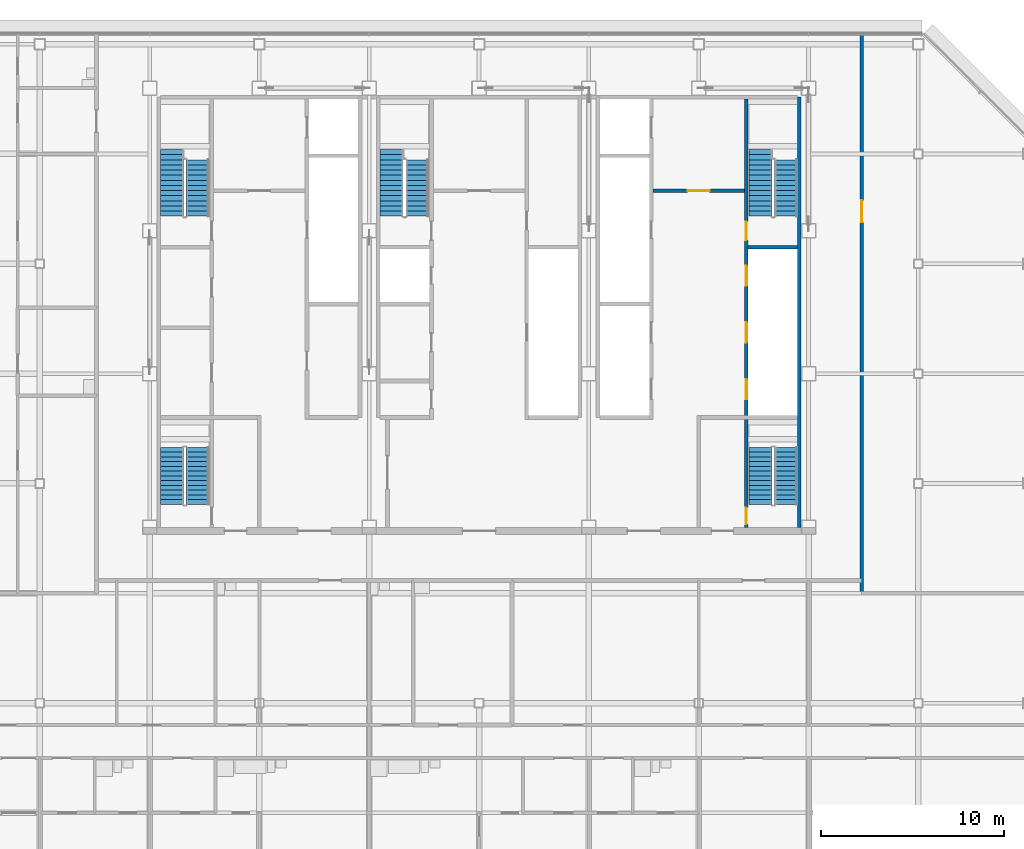
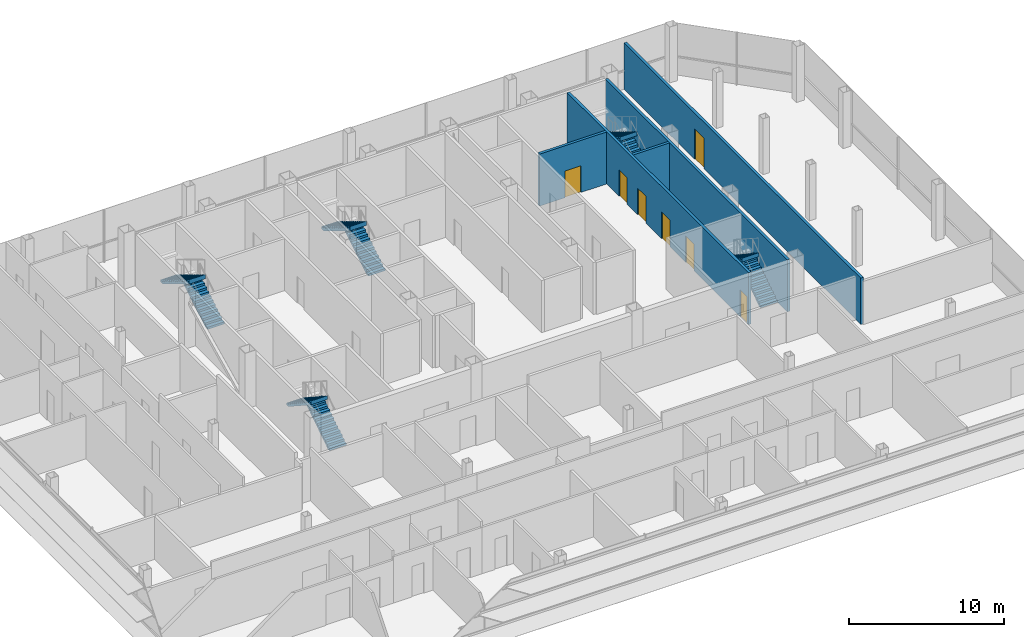
# One storey, part 25 of 29: 10 stair flights, 7 doors, 5 walls, 7 openings, 5 elements without a shape of their own.
"""IFC4 building model written with IfcOpenShell, lengths in metres."""

from ifc_helpers import new_model, si_unit, direction, frame, frame_2d, origin, place, context, subcontext, project, spatial, polyline, rectangle, outline, extrude, material, layer, layer_set, type_object, element, fill, aggregate, save


model = new_model("IFC4")

# Units and contexts
model_context = context("Model", 3, precision=1e-05, world=origin(), true_north=direction((0.0, 1.0)))
body_context = subcontext(model_context, "Body", "Model", "MODEL_VIEW")
ifc_project = project(units=[si_unit("LENGTHUNIT", "METRE"), si_unit("AREAUNIT", "SQUARE_METRE"), si_unit("VOLUMEUNIT", "CUBIC_METRE"), si_unit("PLANEANGLEUNIT", "RADIAN"), si_unit("MASSUNIT", "GRAM", prefix="KILO")], contexts=[model_context])

# Site, building, storey
site_placement = place(None, origin())
site = spatial("IfcSite", under=ifc_project, at=site_placement, CompositionType="ELEMENT")
building_placement = place(site_placement, origin())
building = spatial("IfcBuilding", under=site, at=building_placement, Name="Sorahane Residences", CompositionType="ELEMENT")
storey_placement = place(building_placement, frame((0.0, 0.0, 277.39990234375)))
storey = spatial("IfcBuildingStorey", under=building, at=storey_placement, Name="L66", CompositionType="ELEMENT", Elevation=277.39990234375)

# Wall
ifc_material_1 = material(Name="Concrete C30", Category="concrete")
ifc_layer_1 = layer(ifc_material_1, 0.199951171875)
ifc_layer_set_1 = layer_set([ifc_layer_1], Name="Core face wall 200 EI 180")
wall_type_1 = type_object("IfcWallType", Name="Core face wall 200 EI 180", PredefinedType="SOLIDWALL", material=ifc_layer_set_1)
wall_1_placement = place(storey_placement, frame((41.5, 21.60009765625, 0.0), z_axis=(0.0, 0.0, 1.0), x_axis=(0.0, 1.0, 0.0)))
element("IfcWall", 1, at=wall_1_placement, inside=storey, type_object=wall_type_1, Name="L66 core face wall", PredefinedType="SOLIDWALL", context=body_context, shape_type="SweptSolid", body=[
    extrude(rectangle(XDim=23.5, YDim=0.199951171875, at=frame_2d((11.75, 0.0))), origin(), (0.0, 0.0, 1.0), 4.10009765625),
])

# Wall, opening, door
ifc_material_2 = material(Name="Concrete blockwork C20 wall", Category="masonry")
ifc_layer_2 = layer(ifc_material_2, 0.199951171875)
ifc_layer_set_2 = layer_set([ifc_layer_2], Name="Corridor wall 200 EI 120")
wall_type_2 = type_object("IfcWallType", Name="Corridor wall 200 EI 120", PredefinedType="SOLIDWALL", material=ifc_layer_set_2)
wall_2_placement = place(storey_placement, frame((44.89990234375, 18.0, 0.0), z_axis=(0.0, 0.0, 1.0), x_axis=(0.0, 1.0, 0.0)))
wall_2 = element("IfcWall", 2, at=wall_2_placement, inside=storey, type_object=wall_type_2, Name="L66 corridor wall", PredefinedType="SOLIDWALL", context=body_context, shape_type="SweptSolid", body=[
    extrude(rectangle(XDim=30.60009765625, YDim=0.199951171875, at=frame_2d((15.300048828125, 0.0))), origin(), (0.0, 0.0, 1.0), 3.650146484375),
])
opening_1_placement = place(wall_2_placement, frame((20.27001953125, 0.0, 0.0)))
opening_1 = element("IfcOpeningElement", 3, at=opening_1_placement, cuts=wall_2, Name="Opening L66-45", PredefinedType="OPENING", context=body_context, shape_type="SweptSolid", body=[
    extrude(rectangle(XDim=1.199951171875, YDim=2.39990234375, at=frame_2d((0.60009765625, 1.199951171875))), frame((0.0, 0.10986328125, 0.0), z_axis=(0.0, -1.0, 0.0), x_axis=(1.0, 0.0, 0.0)), (0.0, 0.0, 1.0), 0.219970703125),
])
ifc_material_3 = material(Name="Steel", Category="steel")
door_type_1 = type_object("IfcDoorType", Name="Lobby door 1200x2400 FD60", OperationType="NOTDEFINED", PredefinedType="DOOR", material=ifc_material_3)
door_1_placement = place(opening_1_placement, frame((1.199951171875, 0.0, 0.0), z_axis=(0.0, 0.0, 1.0), x_axis=(-1.0, 0.0, 0.0)))
door_1 = element("IfcDoor", 4, at=door_1_placement, inside=storey, type_object=door_type_1, Name="Lobby door L66-45", OperationType="SINGLE_SWING_LEFT", OverallHeight=2.39990234375, OverallWidth=1.199951171875, PredefinedType="DOOR", context=body_context, shape_type="SweptSolid", body=[
    extrude(rectangle(XDim=1.199951171875, YDim=2.39990234375, at=frame_2d((0.60009765625, 1.199951171875))), frame((0.0, 0.02490234375, 0.0), z_axis=(0.0, -1.0, 0.0), x_axis=(1.0, 0.0, 0.0)), (0.0, 0.0, 1.0), 0.050048828125),
])
fill(opening_1, door_1)

ifc_material_4 = material(Name="Concrete C30", Category="concrete")
ifc_layer_3 = layer(ifc_material_4, 0.199951171875)
ifc_layer_set_3 = layer_set([ifc_layer_3], Name="Front room wall 200 EI 120")
wall_type_3 = type_object("IfcWallType", Name="Front room wall 200 EI 120", PredefinedType="PARTITIONING", material=ifc_layer_set_3)
wall_3_placement = place(storey_placement, frame((33.5, 40.0, 0.0), z_axis=(0.0, 0.0, 1.0), x_axis=(1.0, 0.0, 0.0)))
wall_3 = element("IfcWall", 5, at=wall_3_placement, inside=storey, type_object=wall_type_3, Name="L66 front room wall", PredefinedType="PARTITIONING", context=body_context, shape_type="SweptSolid", body=[
    extrude(rectangle(XDim=5.0, YDim=0.199951171875, at=frame_2d((2.5, 0.0))), origin(), (0.0, 0.0, 1.0), 4.10009765625),
])
opening_2_placement = place(wall_3_placement, frame((1.89990234375, 0.0, 0.0)))
opening_2 = element("IfcOpeningElement", 6, at=opening_2_placement, cuts=wall_3, Name="Opening L66-C09", PredefinedType="OPENING", context=body_context, shape_type="SweptSolid", body=[
    extrude(rectangle(XDim=1.199951171875, YDim=2.10009765625, at=frame_2d((0.60009765625, 1.050048828125))), frame((0.0, 0.10986328125, 0.0), z_axis=(0.0, -1.0, 0.0), x_axis=(1.0, 0.0, 0.0)), (0.0, 0.0, 1.0), 0.219970703125),
])
ifc_material_5 = material(Name="Steel", Category="steel")
door_type_2 = type_object("IfcDoorType", Name="Front room door 1200x2100 FD120", OperationType="NOTDEFINED", PredefinedType="DOOR", material=ifc_material_5)
door_2_placement = place(opening_2_placement, frame((1.199951171875, 0.0, 0.0), z_axis=(0.0, 0.0, 1.0), x_axis=(-1.0, 0.0, 0.0)))
door_2 = element("IfcDoor", 7, at=door_2_placement, inside=storey, type_object=door_type_2, Name="Front room door Firefighting lobby FF2 front room L66", OperationType="DOUBLE_DOOR_SINGLE_SWING", OverallHeight=2.10009765625, OverallWidth=1.199951171875, PredefinedType="DOOR", context=body_context, shape_type="SweptSolid", body=[
    extrude(rectangle(XDim=1.199951171875, YDim=2.10009765625, at=frame_2d((0.60009765625, 1.050048828125))), frame((0.0, 0.02490234375, 0.0), z_axis=(0.0, -1.0, 0.0), x_axis=(1.0, 0.0, 0.0)), (0.0, 0.0, 1.0), 0.050048828125),
])
fill(opening_2, door_2)

# Wall, openings, doors
ifc_material_6 = material(Name="Concrete C30", Category="concrete")
ifc_layer_4 = layer(ifc_material_6, 0.199951171875)
ifc_layer_set_4 = layer_set([ifc_layer_4], Name="Stair enclosure wall 200 EI 120")
wall_type_4 = type_object("IfcWallType", Name="Stair enclosure wall 200 EI 120", PredefinedType="SOLIDWALL", material=ifc_layer_set_4)
wall_4_placement = place(storey_placement, frame((38.60009765625, 21.60009765625, 0.0), z_axis=(0.0, 0.0, 1.0), x_axis=(0.0, 1.0, 0.0)))
wall_4 = element("IfcWall", 8, at=wall_4_placement, inside=storey, type_object=wall_type_4, Name="L66 stair enclosure wall", PredefinedType="SOLIDWALL", context=body_context, shape_type="SweptSolid", body=[
    extrude(rectangle(XDim=23.39990234375, YDim=0.199951171875, at=frame_2d((11.699951171875, 0.0))), origin(), (0.0, 0.0, 1.0), 4.10009765625),
])
opening_3_placement = place(wall_4_placement, frame((7.0, 0.0, 0.0)))
opening_3 = element("IfcOpeningElement", 9, at=opening_3_placement, cuts=wall_4, Name="Opening L66-C10", PredefinedType="OPENING", context=body_context, shape_type="SweptSolid", body=[
    extrude(rectangle(XDim=1.10009765625, YDim=2.10009765625, at=frame_2d((0.550048828125, 1.050048828125))), frame((0.0, 0.10986328125, 0.0), z_axis=(0.0, -1.0, 0.0), x_axis=(1.0, 0.0, 0.0)), (0.0, 0.0, 1.0), 0.219970703125),
])
opening_4_placement = place(wall_4_placement, frame((10.10009765625, 0.0, 0.0)))
opening_4 = element("IfcOpeningElement", 10, at=opening_4_placement, cuts=wall_4, Name="Opening L66-C11", PredefinedType="OPENING", context=body_context, shape_type="SweptSolid", body=[
    extrude(rectangle(XDim=1.10009765625, YDim=2.10009765625, at=frame_2d((0.550048828125, 1.050048828125))), frame((0.0, 0.10986328125, 0.0), z_axis=(0.0, -1.0, 0.0), x_axis=(1.0, 0.0, 0.0)), (0.0, 0.0, 1.0), 0.219970703125),
])
opening_5_placement = place(wall_4_placement, frame((13.199951171875, 0.0, 0.0)))
opening_5 = element("IfcOpeningElement", 11, at=opening_5_placement, cuts=wall_4, Name="Opening L66-C12", PredefinedType="OPENING", context=body_context, shape_type="SweptSolid", body=[
    extrude(rectangle(XDim=1.10009765625, YDim=2.10009765625, at=frame_2d((0.550048828125, 1.050048828125))), frame((0.0, 0.10986328125, 0.0), z_axis=(0.0, -1.0, 0.0), x_axis=(1.0, 0.0, 0.0)), (0.0, 0.0, 1.0), 0.219970703125),
])
opening_6_placement = place(wall_4_placement, frame((15.699951171875, 0.0, 0.0)))
opening_6 = element("IfcOpeningElement", 12, at=opening_6_placement, cuts=wall_4, Name="Opening L66-C23", PredefinedType="OPENING", context=body_context, shape_type="SweptSolid", body=[
    extrude(rectangle(XDim=1.0, YDim=2.10009765625, at=frame_2d((0.5, 1.050048828125))), frame((0.0, 0.10986328125, 0.0), z_axis=(0.0, -1.0, 0.0), x_axis=(1.0, 0.0, 0.0)), (0.0, 0.0, 1.0), 0.219970703125),
])
opening_7_placement = place(wall_4_placement, frame((0.175048828125, 0.0, 0.0)))
opening_7 = element("IfcOpeningElement", 13, at=opening_7_placement, cuts=wall_4, Name="Opening L66-C26", PredefinedType="OPENING", context=body_context, shape_type="SweptSolid", body=[
    extrude(rectangle(XDim=0.89990234375, YDim=2.10009765625, at=frame_2d((0.449951171875, 1.050048828125))), frame((0.0, 0.10986328125, 0.0), z_axis=(0.0, -1.0, 0.0), x_axis=(1.0, 0.0, 0.0)), (0.0, 0.0, 1.0), 0.219970703125),
])
ifc_material_7 = material(Name="Aluminium and stainless steel", Category="steel")
door_type_3 = type_object("IfcDoorType", Name="Lift landing door 1100x2100 E 60", OperationType="NOTDEFINED", PredefinedType="DOOR", material=ifc_material_7)
door_3_placement = place(opening_3_placement, origin())
door_3 = element("IfcDoor", 14, at=door_3_placement, inside=storey, type_object=door_type_3, Name="Lift landing door HR1 L66", OperationType="DOUBLE_DOOR_SLIDING", OverallHeight=2.10009765625, OverallWidth=1.10009765625, PredefinedType="DOOR", context=body_context, shape_type="SweptSolid", body=[
    extrude(rectangle(XDim=1.10009765625, YDim=2.10009765625, at=frame_2d((0.550048828125, 1.050048828125))), frame((0.0, 0.02490234375, 0.0), z_axis=(0.0, -1.0, 0.0), x_axis=(1.0, 0.0, 0.0)), (0.0, 0.0, 1.0), 0.050048828125),
])
fill(opening_3, door_3)
door_4_placement = place(opening_4_placement, origin())
door_4 = element("IfcDoor", 15, at=door_4_placement, inside=storey, type_object=door_type_3, Name="Lift landing door HR2 L66", OperationType="DOUBLE_DOOR_SLIDING", OverallHeight=2.10009765625, OverallWidth=1.10009765625, PredefinedType="DOOR", context=body_context, shape_type="SweptSolid", body=[
    extrude(rectangle(XDim=1.10009765625, YDim=2.10009765625, at=frame_2d((0.550048828125, 1.050048828125))), frame((0.0, 0.02490234375, 0.0), z_axis=(0.0, -1.0, 0.0), x_axis=(1.0, 0.0, 0.0)), (0.0, 0.0, 1.0), 0.050048828125),
])
fill(opening_4, door_4)
door_5_placement = place(opening_5_placement, origin())
door_5 = element("IfcDoor", 16, at=door_5_placement, inside=storey, type_object=door_type_3, Name="Lift landing door HR3 L66", OperationType="DOUBLE_DOOR_SLIDING", OverallHeight=2.10009765625, OverallWidth=1.10009765625, PredefinedType="DOOR", context=body_context, shape_type="SweptSolid", body=[
    extrude(rectangle(XDim=1.10009765625, YDim=2.10009765625, at=frame_2d((0.550048828125, 1.050048828125))), frame((0.0, 0.02490234375, 0.0), z_axis=(0.0, -1.0, 0.0), x_axis=(1.0, 0.0, 0.0)), (0.0, 0.0, 1.0), 0.050048828125),
])
fill(opening_5, door_5)
ifc_material_8 = material(Name="Steel", Category="steel")
door_type_4 = type_object("IfcDoorType", Name="Stair door 1000x2100 FD120", OperationType="NOTDEFINED", PredefinedType="DOOR", material=ifc_material_8)
door_6_placement = place(opening_6_placement, frame((1.0, 0.0, 0.0), z_axis=(0.0, 0.0, 1.0), x_axis=(-1.0, 0.0, 0.0)))
door_6 = element("IfcDoor", 17, at=door_6_placement, inside=storey, type_object=door_type_4, Name="Stair door S2 L66", OperationType="SINGLE_SWING_LEFT", OverallHeight=2.10009765625, OverallWidth=1.0, PredefinedType="DOOR", context=body_context, shape_type="SweptSolid", body=[
    extrude(rectangle(XDim=1.0, YDim=2.10009765625, at=frame_2d((0.5, 1.050048828125))), frame((0.0, 0.02490234375, 0.0), z_axis=(0.0, -1.0, 0.0), x_axis=(1.0, 0.0, 0.0)), (0.0, 0.0, 1.0), 0.050048828125),
])
fill(opening_6, door_6)
ifc_material_9 = material(Name="Steel", Category="steel")
door_type_5 = type_object("IfcDoorType", Name="Stair door 900x2100 FD120", OperationType="NOTDEFINED", PredefinedType="DOOR", material=ifc_material_9)
door_7_placement = place(opening_7_placement, frame((0.89990234375, 0.0, 0.0), z_axis=(0.0, 0.0, 1.0), x_axis=(-1.0, 0.0, 0.0)))
door_7 = element("IfcDoor", 18, at=door_7_placement, inside=storey, type_object=door_type_5, Name="Stair door S5 L66", OperationType="SINGLE_SWING_LEFT", OverallHeight=2.10009765625, OverallWidth=0.89990234375, PredefinedType="DOOR", context=body_context, shape_type="SweptSolid", body=[
    extrude(rectangle(XDim=0.89990234375, YDim=2.10009765625, at=frame_2d((0.449951171875, 1.050048828125))), frame((0.0, 0.02490234375, 0.0), z_axis=(0.0, -1.0, 0.0), x_axis=(1.0, 0.0, 0.0)), (0.0, 0.0, 1.0), 0.050048828125),
])
fill(opening_7, door_7)

# Wall
wall_5_placement = place(storey_placement, frame((38.699951171875, 36.89990234375, 0.0), z_axis=(0.0, 0.0, 1.0), x_axis=(1.0, 0.0, 0.0)))
element("IfcWall", 19, at=wall_5_placement, inside=storey, type_object=wall_type_4, Name="L66 stair enclosure wall", PredefinedType="SOLIDWALL", context=body_context, shape_type="SweptSolid", body=[
    extrude(rectangle(XDim=2.699951171875, YDim=0.199951171875, at=frame_2d((1.35009765625, 0.0))), origin(), (0.0, 0.0, 1.0), 4.10009765625),
])

# Stair, stair flights
ifc_material_10 = material(Name="Concrete C40", Category="concrete")
stair_type = type_object("IfcStairType", Name="Dog-leg stair 1250 Concrete C40", PredefinedType="HALF_TURN_STAIR", material=ifc_material_10)
stair_1_placement = place(storey_placement, origin())
stair_1 = element("IfcStair", 20, at=stair_1_placement, inside=storey, type_object=stair_type, Name="L66 Stair S1", PredefinedType="HALF_TURN_STAIR")
ifc_material_11 = material(Name="Concrete C40", Category="concrete")
stair_flight_type = type_object("IfcStairFlightType", Name="Stair flight 1250 Concrete C40", PredefinedType="STRAIGHT", material=ifc_material_11)
stair_flight_1_placement = place(storey_placement, frame((8.625, 38.60009765625, 0.0), z_axis=(0.0, 0.0, 1.0), x_axis=(0.0, 1.0, 0.0)))
stair_flight_1 = element("IfcStairFlight", 21, at=stair_flight_1_placement, type_object=stair_flight_type, Name="S1 flight 1", NumberOfRisers=12, NumberOfTreads=11, PredefinedType="STRAIGHT", RiserHeight=0.169230769, TreadLength=0.28, context=body_context, shape_type="SweptSolid", body=[
    extrude(outline(polyline([(-0.00146484375, 0.0), (-0.00146484375, 0.169189453125), (0.0, 0.169189453125), (0.280029296875, 0.169189453125), (0.280029296875, 0.33837890625), (0.56005859375, 0.33837890625), (0.56005859375, 0.5078125), (0.840087890625, 0.5078125), (0.840087890625, 0.677001953125), (1.1201171875, 0.677001953125), (1.1201171875, 0.84619140625), (1.39990234375, 0.84619140625), (1.39990234375, 1.015380859375), (1.679931640625, 1.015380859375), (1.679931640625, 1.1845703125), (1.9599609375, 1.1845703125), (1.9599609375, 1.353759765625), (2.239990234375, 1.353759765625), (2.239990234375, 1.523193359375), (2.52001953125, 1.523193359375), (2.52001953125, 1.6923828125), (2.800048828125, 1.6923828125), (2.800048828125, 1.861572265625), (3.080078125, 1.861572265625), (3.080078125, 2.03076171875), (3.080078125, 1.686279296875), (2.865478515625, 1.556640625), (2.650634765625, 1.427001953125), (2.43603515625, 1.297119140625), (2.221435546875, 1.16748046875), (2.0068359375, 1.037841796875), (1.792236328125, 0.907958984375), (1.57763671875, 0.7783203125), (1.363037109375, 0.648681640625), (1.1484375, 0.518798828125), (0.93359375, 0.38916015625), (0.718994140625, 0.259521484375), (0.50439453125, 0.129638671875), (0.289794921875, 0.0), (-0.00146484375, 0.0)])), frame((0.0, 0.625, 0.0), z_axis=(0.0, -1.0, 0.0), x_axis=(1.0, 0.0, 0.0)), (0.0, 0.0, 1.0), 1.25),
])
stair_flight_2_placement = place(storey_placement, frame((7.22509765625, 42.239990234375, 2.03076171875), z_axis=(0.0, 0.0, 1.0), x_axis=(0.0, -1.0, 0.0)))
stair_flight_2 = element("IfcStairFlight", 22, at=stair_flight_2_placement, type_object=stair_flight_type, Name="S1 flight 2", NumberOfRisers=14, NumberOfTreads=13, PredefinedType="STRAIGHT", RiserHeight=0.169230769, TreadLength=0.28, context=body_context, shape_type="SweptSolid", body=[
    extrude(outline(polyline([(-0.00146484375, 0.0), (-0.00146484375, 0.169189453125), (0.0, 0.169189453125), (0.280029296875, 0.169189453125), (0.280029296875, 0.33837890625), (0.56005859375, 0.33837890625), (0.56005859375, 0.5078125), (0.840087890625, 0.5078125), (0.840087890625, 0.677001953125), (1.1201171875, 0.677001953125), (1.1201171875, 0.84619140625), (1.39990234375, 0.84619140625), (1.39990234375, 1.015380859375), (1.679931640625, 1.015380859375), (1.679931640625, 1.1845703125), (1.9599609375, 1.1845703125), (1.9599609375, 1.353759765625), (2.239990234375, 1.353759765625), (2.239990234375, 1.523193359375), (2.52001953125, 1.523193359375), (2.52001953125, 1.6923828125), (2.800048828125, 1.6923828125), (2.800048828125, 1.861572265625), (3.080078125, 1.861572265625), (3.080078125, 2.03076171875), (3.360107421875, 2.03076171875), (3.360107421875, 2.199951171875), (3.639892578125, 2.199951171875), (3.639892578125, 2.369140625), (3.6416015625, 2.369140625), (3.6416015625, 2.02490234375), (3.41796875, 1.889892578125), (3.194580078125, 1.7548828125), (2.97119140625, 1.619873046875), (2.747802734375, 1.48486328125), (2.524169921875, 1.349853515625), (2.30078125, 1.21484375), (2.077392578125, 1.079833984375), (1.85400390625, 0.94482421875), (1.63037109375, 0.81005859375), (1.406982421875, 0.675048828125), (1.18359375, 0.5400390625), (0.960205078125, 0.405029296875), (0.73681640625, 0.27001953125), (0.51318359375, 0.135009765625), (0.289794921875, 0.0), (-0.00146484375, 0.0)])), frame((0.0, 0.625, 0.0), z_axis=(0.0, -1.0, 0.0), x_axis=(1.0, 0.0, 0.0)), (0.0, 0.0, 1.0), 1.25),
])
aggregate(stair_1, [stair_flight_1, stair_flight_2])

stair_2_placement = place(storey_placement, origin())
stair_2 = element("IfcStair", 23, at=stair_2_placement, inside=storey, type_object=stair_type, Name="L66 Stair S2", PredefinedType="HALF_TURN_STAIR")
stair_flight_3_placement = place(storey_placement, frame((40.77490234375, 38.60009765625, 0.0), z_axis=(0.0, 0.0, 1.0), x_axis=(0.0, 1.0, 0.0)))
stair_flight_3 = element("IfcStairFlight", 24, at=stair_flight_3_placement, type_object=stair_flight_type, Name="S2 flight 1", NumberOfRisers=12, NumberOfTreads=11, PredefinedType="STRAIGHT", RiserHeight=0.169230769, TreadLength=0.28, context=body_context, shape_type="SweptSolid", body=[
    extrude(outline(polyline([(-0.00146484375, 0.0), (-0.00146484375, 0.169189453125), (0.0, 0.169189453125), (0.280029296875, 0.169189453125), (0.280029296875, 0.33837890625), (0.56005859375, 0.33837890625), (0.56005859375, 0.5078125), (0.840087890625, 0.5078125), (0.840087890625, 0.677001953125), (1.1201171875, 0.677001953125), (1.1201171875, 0.84619140625), (1.39990234375, 0.84619140625), (1.39990234375, 1.015380859375), (1.679931640625, 1.015380859375), (1.679931640625, 1.1845703125), (1.9599609375, 1.1845703125), (1.9599609375, 1.353759765625), (2.239990234375, 1.353759765625), (2.239990234375, 1.523193359375), (2.52001953125, 1.523193359375), (2.52001953125, 1.6923828125), (2.800048828125, 1.6923828125), (2.800048828125, 1.861572265625), (3.080078125, 1.861572265625), (3.080078125, 2.03076171875), (3.080078125, 1.686279296875), (2.865478515625, 1.556640625), (2.650634765625, 1.427001953125), (2.43603515625, 1.297119140625), (2.221435546875, 1.16748046875), (2.0068359375, 1.037841796875), (1.792236328125, 0.907958984375), (1.57763671875, 0.7783203125), (1.363037109375, 0.648681640625), (1.1484375, 0.518798828125), (0.93359375, 0.38916015625), (0.718994140625, 0.259521484375), (0.50439453125, 0.129638671875), (0.289794921875, 0.0), (-0.00146484375, 0.0)])), frame((0.0, 0.625, 0.0), z_axis=(0.0, -1.0, 0.0), x_axis=(1.0, 0.0, 0.0)), (0.0, 0.0, 1.0), 1.25),
])
stair_flight_4_placement = place(storey_placement, frame((39.375, 42.239990234375, 2.03076171875), z_axis=(0.0, 0.0, 1.0), x_axis=(0.0, -1.0, 0.0)))
stair_flight_4 = element("IfcStairFlight", 25, at=stair_flight_4_placement, type_object=stair_flight_type, Name="S2 flight 2", NumberOfRisers=14, NumberOfTreads=13, PredefinedType="STRAIGHT", RiserHeight=0.169230769, TreadLength=0.28, context=body_context, shape_type="SweptSolid", body=[
    extrude(outline(polyline([(-0.00146484375, 0.0), (-0.00146484375, 0.169189453125), (0.0, 0.169189453125), (0.280029296875, 0.169189453125), (0.280029296875, 0.33837890625), (0.56005859375, 0.33837890625), (0.56005859375, 0.5078125), (0.840087890625, 0.5078125), (0.840087890625, 0.677001953125), (1.1201171875, 0.677001953125), (1.1201171875, 0.84619140625), (1.39990234375, 0.84619140625), (1.39990234375, 1.015380859375), (1.679931640625, 1.015380859375), (1.679931640625, 1.1845703125), (1.9599609375, 1.1845703125), (1.9599609375, 1.353759765625), (2.239990234375, 1.353759765625), (2.239990234375, 1.523193359375), (2.52001953125, 1.523193359375), (2.52001953125, 1.6923828125), (2.800048828125, 1.6923828125), (2.800048828125, 1.861572265625), (3.080078125, 1.861572265625), (3.080078125, 2.03076171875), (3.360107421875, 2.03076171875), (3.360107421875, 2.199951171875), (3.639892578125, 2.199951171875), (3.639892578125, 2.369140625), (3.6416015625, 2.369140625), (3.6416015625, 2.02490234375), (3.41796875, 1.889892578125), (3.194580078125, 1.7548828125), (2.97119140625, 1.619873046875), (2.747802734375, 1.48486328125), (2.524169921875, 1.349853515625), (2.30078125, 1.21484375), (2.077392578125, 1.079833984375), (1.85400390625, 0.94482421875), (1.63037109375, 0.81005859375), (1.406982421875, 0.675048828125), (1.18359375, 0.5400390625), (0.960205078125, 0.405029296875), (0.73681640625, 0.27001953125), (0.51318359375, 0.135009765625), (0.289794921875, 0.0), (-0.00146484375, 0.0)])), frame((0.0, 0.625, 0.0), z_axis=(0.0, -1.0, 0.0), x_axis=(1.0, 0.0, 0.0)), (0.0, 0.0, 1.0), 1.25),
])
aggregate(stair_2, [stair_flight_3, stair_flight_4])

stair_3_placement = place(storey_placement, origin())
stair_3 = element("IfcStair", 26, at=stair_3_placement, inside=storey, type_object=stair_type, Name="L66 Stair S3", PredefinedType="HALF_TURN_STAIR")
stair_flight_5_placement = place(storey_placement, frame((20.625, 38.60009765625, 0.0), z_axis=(0.0, 0.0, 1.0), x_axis=(0.0, 1.0, 0.0)))
stair_flight_5 = element("IfcStairFlight", 27, at=stair_flight_5_placement, type_object=stair_flight_type, Name="S3 flight 1", NumberOfRisers=12, NumberOfTreads=11, PredefinedType="STRAIGHT", RiserHeight=0.169230769, TreadLength=0.28, context=body_context, shape_type="SweptSolid", body=[
    extrude(outline(polyline([(-0.00146484375, 0.0), (-0.00146484375, 0.169189453125), (0.0, 0.169189453125), (0.280029296875, 0.169189453125), (0.280029296875, 0.33837890625), (0.56005859375, 0.33837890625), (0.56005859375, 0.5078125), (0.840087890625, 0.5078125), (0.840087890625, 0.677001953125), (1.1201171875, 0.677001953125), (1.1201171875, 0.84619140625), (1.39990234375, 0.84619140625), (1.39990234375, 1.015380859375), (1.679931640625, 1.015380859375), (1.679931640625, 1.1845703125), (1.9599609375, 1.1845703125), (1.9599609375, 1.353759765625), (2.239990234375, 1.353759765625), (2.239990234375, 1.523193359375), (2.52001953125, 1.523193359375), (2.52001953125, 1.6923828125), (2.800048828125, 1.6923828125), (2.800048828125, 1.861572265625), (3.080078125, 1.861572265625), (3.080078125, 2.03076171875), (3.080078125, 1.686279296875), (2.865478515625, 1.556640625), (2.650634765625, 1.427001953125), (2.43603515625, 1.297119140625), (2.221435546875, 1.16748046875), (2.0068359375, 1.037841796875), (1.792236328125, 0.907958984375), (1.57763671875, 0.7783203125), (1.363037109375, 0.648681640625), (1.1484375, 0.518798828125), (0.93359375, 0.38916015625), (0.718994140625, 0.259521484375), (0.50439453125, 0.129638671875), (0.289794921875, 0.0), (-0.00146484375, 0.0)])), frame((0.0, 0.625, 0.0), z_axis=(0.0, -1.0, 0.0), x_axis=(1.0, 0.0, 0.0)), (0.0, 0.0, 1.0), 1.25),
])
stair_flight_6_placement = place(storey_placement, frame((19.22509765625, 42.239990234375, 2.03076171875), z_axis=(0.0, 0.0, 1.0), x_axis=(0.0, -1.0, 0.0)))
stair_flight_6 = element("IfcStairFlight", 28, at=stair_flight_6_placement, type_object=stair_flight_type, Name="S3 flight 2", NumberOfRisers=14, NumberOfTreads=13, PredefinedType="STRAIGHT", RiserHeight=0.169230769, TreadLength=0.28, context=body_context, shape_type="SweptSolid", body=[
    extrude(outline(polyline([(-0.00146484375, 0.0), (-0.00146484375, 0.169189453125), (0.0, 0.169189453125), (0.280029296875, 0.169189453125), (0.280029296875, 0.33837890625), (0.56005859375, 0.33837890625), (0.56005859375, 0.5078125), (0.840087890625, 0.5078125), (0.840087890625, 0.677001953125), (1.1201171875, 0.677001953125), (1.1201171875, 0.84619140625), (1.39990234375, 0.84619140625), (1.39990234375, 1.015380859375), (1.679931640625, 1.015380859375), (1.679931640625, 1.1845703125), (1.9599609375, 1.1845703125), (1.9599609375, 1.353759765625), (2.239990234375, 1.353759765625), (2.239990234375, 1.523193359375), (2.52001953125, 1.523193359375), (2.52001953125, 1.6923828125), (2.800048828125, 1.6923828125), (2.800048828125, 1.861572265625), (3.080078125, 1.861572265625), (3.080078125, 2.03076171875), (3.360107421875, 2.03076171875), (3.360107421875, 2.199951171875), (3.639892578125, 2.199951171875), (3.639892578125, 2.369140625), (3.6416015625, 2.369140625), (3.6416015625, 2.02490234375), (3.41796875, 1.889892578125), (3.194580078125, 1.7548828125), (2.97119140625, 1.619873046875), (2.747802734375, 1.48486328125), (2.524169921875, 1.349853515625), (2.30078125, 1.21484375), (2.077392578125, 1.079833984375), (1.85400390625, 0.94482421875), (1.63037109375, 0.81005859375), (1.406982421875, 0.675048828125), (1.18359375, 0.5400390625), (0.960205078125, 0.405029296875), (0.73681640625, 0.27001953125), (0.51318359375, 0.135009765625), (0.289794921875, 0.0), (-0.00146484375, 0.0)])), frame((0.0, 0.625, 0.0), z_axis=(0.0, -1.0, 0.0), x_axis=(1.0, 0.0, 0.0)), (0.0, 0.0, 1.0), 1.25),
])
aggregate(stair_3, [stair_flight_5, stair_flight_6])

stair_4_placement = place(storey_placement, origin())
stair_4 = element("IfcStair", 29, at=stair_4_placement, inside=storey, type_object=stair_type, Name="L66 Stair S4", PredefinedType="HALF_TURN_STAIR")
stair_flight_7_placement = place(storey_placement, frame((8.625, 22.85009765625, 0.0), z_axis=(0.0, 0.0, 1.0), x_axis=(0.0, 1.0, 0.0)))
stair_flight_7 = element("IfcStairFlight", 30, at=stair_flight_7_placement, type_object=stair_flight_type, Name="S4 flight 1", NumberOfRisers=13, NumberOfTreads=12, PredefinedType="STRAIGHT", RiserHeight=0.169230769, TreadLength=0.26, context=body_context, shape_type="SweptSolid", body=[
    extrude(outline(polyline([(-0.00146484375, 0.0), (-0.00146484375, 0.169189453125), (0.0, 0.169189453125), (0.260009765625, 0.169189453125), (0.260009765625, 0.33837890625), (0.52001953125, 0.33837890625), (0.52001953125, 0.5078125), (0.780029296875, 0.5078125), (0.780029296875, 0.677001953125), (1.0400390625, 0.677001953125), (1.0400390625, 0.84619140625), (1.300048828125, 0.84619140625), (1.300048828125, 1.015380859375), (1.56005859375, 1.015380859375), (1.56005859375, 1.1845703125), (1.820068359375, 1.1845703125), (1.820068359375, 1.353759765625), (2.080078125, 1.353759765625), (2.080078125, 1.523193359375), (2.340087890625, 1.523193359375), (2.340087890625, 1.6923828125), (2.60009765625, 1.6923828125), (2.60009765625, 1.861572265625), (2.860107421875, 1.861572265625), (2.860107421875, 2.03076171875), (3.1201171875, 2.03076171875), (3.1201171875, 2.199951171875), (3.1201171875, 1.887451171875), (2.912841796875, 1.752685546875), (2.705810546875, 1.617919921875), (2.49853515625, 1.48291015625), (2.29150390625, 1.34814453125), (2.08447265625, 1.21337890625), (1.877197265625, 1.07861328125), (1.670166015625, 0.943603515625), (1.462890625, 0.808837890625), (1.255859375, 0.674072265625), (1.048828125, 0.539306640625), (0.841552734375, 0.404541015625), (0.634521484375, 0.26953125), (0.42724609375, 0.134765625), (0.22021484375, 0.0), (-0.00146484375, 0.0)])), frame((0.0, 0.625, 0.0), z_axis=(0.0, -1.0, 0.0), x_axis=(1.0, 0.0, 0.0)), (0.0, 0.0, 1.0), 1.25),
])
stair_flight_8_placement = place(storey_placement, frame((7.22509765625, 25.969970703125, 2.2001953125), z_axis=(0.0, 0.0, 1.0), x_axis=(0.0, -1.0, 0.0)))
stair_flight_8 = element("IfcStairFlight", 31, at=stair_flight_8_placement, type_object=stair_flight_type, Name="S4 flight 2", NumberOfRisers=13, NumberOfTreads=12, PredefinedType="STRAIGHT", RiserHeight=0.169230769, TreadLength=0.26, context=body_context, shape_type="SweptSolid", body=[
    extrude(outline(polyline([(0.0, 0.0), (0.0, 0.169189453125), (0.260009765625, 0.169189453125), (0.260009765625, 0.33837890625), (0.52001953125, 0.33837890625), (0.52001953125, 0.5078125), (0.780029296875, 0.5078125), (0.780029296875, 0.677001953125), (1.0400390625, 0.677001953125), (1.0400390625, 0.84619140625), (1.300048828125, 0.84619140625), (1.300048828125, 1.015380859375), (1.56005859375, 1.015380859375), (1.56005859375, 1.1845703125), (1.820068359375, 1.1845703125), (1.820068359375, 1.353759765625), (2.080078125, 1.353759765625), (2.080078125, 1.523193359375), (2.340087890625, 1.523193359375), (2.340087890625, 1.6923828125), (2.60009765625, 1.6923828125), (2.60009765625, 1.861572265625), (2.860107421875, 1.861572265625), (2.860107421875, 2.03076171875), (3.1201171875, 2.03076171875), (3.1201171875, 2.199951171875), (3.12158203125, 2.199951171875), (3.12158203125, 1.887451171875), (2.914306640625, 1.752685546875), (2.70703125, 1.617919921875), (2.499755859375, 1.48291015625), (2.29248046875, 1.34814453125), (2.085205078125, 1.21337890625), (1.878173828125, 1.07861328125), (1.6708984375, 0.943603515625), (1.463623046875, 0.808837890625), (1.25634765625, 0.674072265625), (1.049072265625, 0.539306640625), (0.841796875, 0.404541015625), (0.634765625, 0.26953125), (0.427490234375, 0.134765625), (0.22021484375, 0.0), (0.0, 0.0)])), frame((0.0, 0.625, 0.0), z_axis=(0.0, -1.0, 0.0), x_axis=(1.0, 0.0, 0.0)), (0.0, 0.0, 1.0), 1.25),
])
aggregate(stair_4, [stair_flight_7, stair_flight_8])

stair_5_placement = place(storey_placement, origin())
stair_5 = element("IfcStair", 32, at=stair_5_placement, inside=storey, type_object=stair_type, Name="L66 Stair S5", PredefinedType="HALF_TURN_STAIR")
stair_flight_9_placement = place(storey_placement, frame((40.77490234375, 22.85009765625, 0.0), z_axis=(0.0, 0.0, 1.0), x_axis=(0.0, 1.0, 0.0)))
stair_flight_9 = element("IfcStairFlight", 33, at=stair_flight_9_placement, type_object=stair_flight_type, Name="S5 flight 1", NumberOfRisers=13, NumberOfTreads=12, PredefinedType="STRAIGHT", RiserHeight=0.169230769, TreadLength=0.26, context=body_context, shape_type="SweptSolid", body=[
    extrude(outline(polyline([(-0.00146484375, 0.0), (-0.00146484375, 0.169189453125), (0.0, 0.169189453125), (0.260009765625, 0.169189453125), (0.260009765625, 0.33837890625), (0.52001953125, 0.33837890625), (0.52001953125, 0.5078125), (0.780029296875, 0.5078125), (0.780029296875, 0.677001953125), (1.0400390625, 0.677001953125), (1.0400390625, 0.84619140625), (1.300048828125, 0.84619140625), (1.300048828125, 1.015380859375), (1.56005859375, 1.015380859375), (1.56005859375, 1.1845703125), (1.820068359375, 1.1845703125), (1.820068359375, 1.353759765625), (2.080078125, 1.353759765625), (2.080078125, 1.523193359375), (2.340087890625, 1.523193359375), (2.340087890625, 1.6923828125), (2.60009765625, 1.6923828125), (2.60009765625, 1.861572265625), (2.860107421875, 1.861572265625), (2.860107421875, 2.03076171875), (3.1201171875, 2.03076171875), (3.1201171875, 2.199951171875), (3.1201171875, 1.887451171875), (2.912841796875, 1.752685546875), (2.705810546875, 1.617919921875), (2.49853515625, 1.48291015625), (2.29150390625, 1.34814453125), (2.08447265625, 1.21337890625), (1.877197265625, 1.07861328125), (1.670166015625, 0.943603515625), (1.462890625, 0.808837890625), (1.255859375, 0.674072265625), (1.048828125, 0.539306640625), (0.841552734375, 0.404541015625), (0.634521484375, 0.26953125), (0.42724609375, 0.134765625), (0.22021484375, 0.0), (-0.00146484375, 0.0)])), frame((0.0, 0.625, 0.0), z_axis=(0.0, -1.0, 0.0), x_axis=(1.0, 0.0, 0.0)), (0.0, 0.0, 1.0), 1.25),
])
stair_flight_10_placement = place(storey_placement, frame((39.375, 25.969970703125, 2.2001953125), z_axis=(0.0, 0.0, 1.0), x_axis=(0.0, -1.0, 0.0)))
stair_flight_10 = element("IfcStairFlight", 34, at=stair_flight_10_placement, type_object=stair_flight_type, Name="S5 flight 2", NumberOfRisers=13, NumberOfTreads=12, PredefinedType="STRAIGHT", RiserHeight=0.169230769, TreadLength=0.26, context=body_context, shape_type="SweptSolid", body=[
    extrude(outline(polyline([(0.0, 0.0), (0.0, 0.169189453125), (0.260009765625, 0.169189453125), (0.260009765625, 0.33837890625), (0.52001953125, 0.33837890625), (0.52001953125, 0.5078125), (0.780029296875, 0.5078125), (0.780029296875, 0.677001953125), (1.0400390625, 0.677001953125), (1.0400390625, 0.84619140625), (1.300048828125, 0.84619140625), (1.300048828125, 1.015380859375), (1.56005859375, 1.015380859375), (1.56005859375, 1.1845703125), (1.820068359375, 1.1845703125), (1.820068359375, 1.353759765625), (2.080078125, 1.353759765625), (2.080078125, 1.523193359375), (2.340087890625, 1.523193359375), (2.340087890625, 1.6923828125), (2.60009765625, 1.6923828125), (2.60009765625, 1.861572265625), (2.860107421875, 1.861572265625), (2.860107421875, 2.03076171875), (3.1201171875, 2.03076171875), (3.1201171875, 2.199951171875), (3.12158203125, 2.199951171875), (3.12158203125, 1.887451171875), (2.914306640625, 1.752685546875), (2.70703125, 1.617919921875), (2.499755859375, 1.48291015625), (2.29248046875, 1.34814453125), (2.085205078125, 1.21337890625), (1.878173828125, 1.07861328125), (1.6708984375, 0.943603515625), (1.463623046875, 0.808837890625), (1.25634765625, 0.674072265625), (1.049072265625, 0.539306640625), (0.841796875, 0.404541015625), (0.634765625, 0.26953125), (0.427490234375, 0.134765625), (0.22021484375, 0.0), (0.0, 0.0)])), frame((0.0, 0.625, 0.0), z_axis=(0.0, -1.0, 0.0), x_axis=(1.0, 0.0, 0.0)), (0.0, 0.0, 1.0), 1.25),
])
aggregate(stair_5, [stair_flight_9, stair_flight_10])

save(model, "model.ifc")
